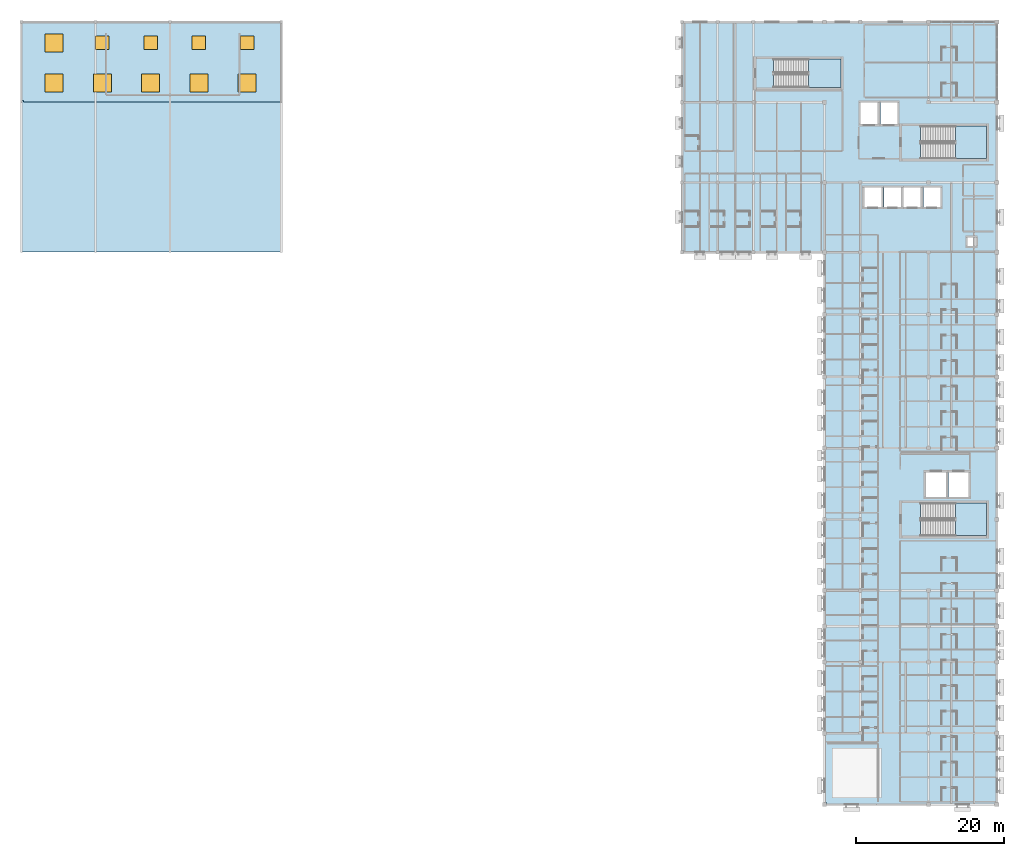
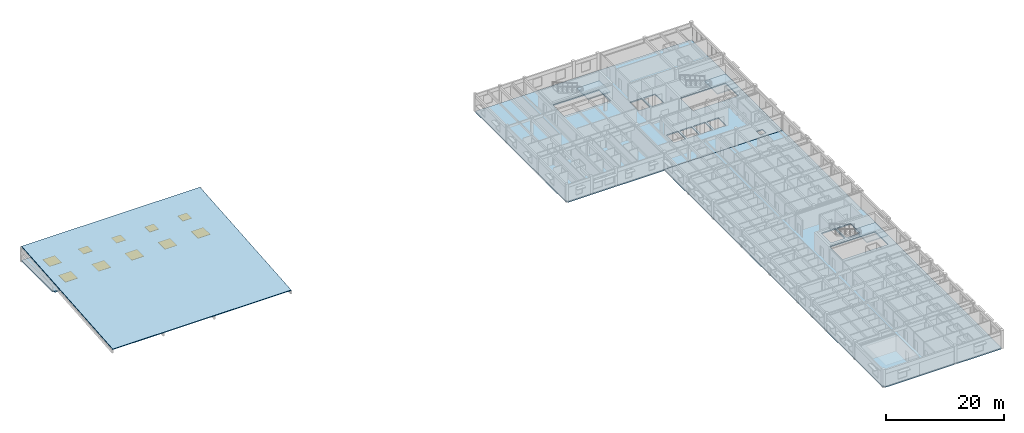
# One storey, part 8 of 31: 10 windows, 7 slabs, 10 openings, 4 elements without a shape of their own.
"""IFC4 building model written with IfcOpenShell, lengths in metres."""

from ifc_helpers import new_model, si_unit, direction, frame, origin, origin_2d, place, context, subcontext, project, spatial, polyline, rectangle, outline, extrude, material, layer, layer_set, type_object, element, fill, aggregate, save


model = new_model("IFC4")

# Units and contexts
model_context = context("Model", 3, precision=1e-05, world=origin(), true_north=direction((0.0, 1.0)))
body_context = subcontext(model_context, "Body", "Model", "MODEL_VIEW")
ifc_project = project(units=[si_unit("LENGTHUNIT", "METRE"), si_unit("AREAUNIT", "SQUARE_METRE"), si_unit("VOLUMEUNIT", "CUBIC_METRE"), si_unit("PLANEANGLEUNIT", "RADIAN"), si_unit("MASSUNIT", "GRAM", prefix="KILO")], contexts=[model_context])

# Site, building, storey
site_placement = place(None, origin())
site = spatial("IfcSite", under=ifc_project, at=site_placement, CompositionType="ELEMENT")
building_placement = place(site_placement, origin())
building = spatial("IfcBuilding", under=site, at=building_placement, Name="Veldera Park Congress Hotel", CompositionType="ELEMENT")
storey_placement = place(building_placement, frame((0.0, 0.0, 20.0)))
storey = spatial("IfcBuildingStorey", under=building, at=storey_placement, Name="L04", CompositionType="ELEMENT", Elevation=20.0)

# Slab, openings, windows
ifc_material_1 = material(Name="Concrete f'c 40 MPa (5,800 psi)", Category="concrete")
ifc_layer_1 = layer(ifc_material_1, 0.264892578125)
ifc_layer_set_1 = layer_set([ifc_layer_1], Name="Concrete f'c 40 MPa (5,800 psi)")
slab_type_1 = type_object("IfcSlabType", Name="RF-CURB265", PredefinedType="ROOF", material=ifc_layer_set_1)
slab_1_placement = place(storey_placement, origin())
slab_1 = element("IfcSlab", 1, at=slab_1_placement, inside=storey, type_object=slab_type_1, Name="Conservatory Roof Service Curb Deck", PredefinedType="ROOF", context=body_context, shape_type="SweptSolid", body=[
    extrude(outline(polyline([(-47.39990234375, 47.4599609375), (-47.139892578125, 47.4599609375), (-47.139892578125, 47.199951171875), (-12.39990234375, 47.199951171875), (-12.39990234375, 58.0), (-47.39990234375, 58.0), (-47.39990234375, 47.4599609375)])), origin(), (0.0, 0.0, 1.0), 0.264892578125),
])
opening_1_placement = place(slab_1_placement, frame((-43.0, 49.800048828125, 0.0)))
opening_1 = element("IfcOpeningElement", 2, at=opening_1_placement, cuts=slab_1, Name="Opening WIN-SKY", PredefinedType="OPENING", context=body_context, shape_type="SweptSolid", body=[
    extrude(rectangle(XDim=2.39990234375, YDim=2.39990234375, at=origin_2d()), frame((0.0, 0.0, -0.011962890625)), (0.0, 0.0, 1.0), 0.288818359375),
])
opening_2_placement = place(slab_1_placement, frame((-36.5, 49.800048828125, 0.0)))
opening_2 = element("IfcOpeningElement", 3, at=opening_2_placement, cuts=slab_1, Name="Opening WIN-SKY", PredefinedType="OPENING", context=body_context, shape_type="SweptSolid", body=[
    extrude(rectangle(XDim=2.39990234375, YDim=2.39990234375, at=origin_2d()), frame((0.0, 0.0, -0.011962890625)), (0.0, 0.0, 1.0), 0.288818359375),
])
opening_3_placement = place(slab_1_placement, frame((-30.0, 49.800048828125, 0.0)))
opening_3 = element("IfcOpeningElement", 4, at=opening_3_placement, cuts=slab_1, Name="Opening WIN-SKY", PredefinedType="OPENING", context=body_context, shape_type="SweptSolid", body=[
    extrude(rectangle(XDim=2.39990234375, YDim=2.39990234375, at=origin_2d()), frame((0.0, 0.0, -0.011962890625)), (0.0, 0.0, 1.0), 0.288818359375),
])
opening_4_placement = place(slab_1_placement, frame((-23.5, 49.800048828125, 0.0)))
opening_4 = element("IfcOpeningElement", 5, at=opening_4_placement, cuts=slab_1, Name="Opening WIN-SKY", PredefinedType="OPENING", context=body_context, shape_type="SweptSolid", body=[
    extrude(rectangle(XDim=2.39990234375, YDim=2.39990234375, at=origin_2d()), frame((0.0, 0.0, -0.011962890625)), (0.0, 0.0, 1.0), 0.288818359375),
])
opening_5_placement = place(slab_1_placement, frame((-17.0, 49.800048828125, 0.0)))
opening_5 = element("IfcOpeningElement", 6, at=opening_5_placement, cuts=slab_1, Name="Opening WIN-SKY", PredefinedType="OPENING", context=body_context, shape_type="SweptSolid", body=[
    extrude(rectangle(XDim=2.39990234375, YDim=2.39990234375, at=origin_2d()), frame((0.0, 0.0, -0.011962890625)), (0.0, 0.0, 1.0), 0.288818359375),
])
opening_6_placement = place(slab_1_placement, frame((-43.0, 55.199951171875, 0.0)))
opening_6 = element("IfcOpeningElement", 7, at=opening_6_placement, cuts=slab_1, Name="Opening WIN-SKY", PredefinedType="OPENING", context=body_context, shape_type="SweptSolid", body=[
    extrude(rectangle(XDim=2.39990234375, YDim=2.39990234375, at=origin_2d()), frame((0.0, 0.0, -0.011962890625)), (0.0, 0.0, 1.0), 0.288818359375),
])
opening_7_placement = place(slab_1_placement, frame((-36.5, 55.199951171875, 0.0)))
opening_7 = element("IfcOpeningElement", 8, at=opening_7_placement, cuts=slab_1, Name="Opening WIN-SKY2", PredefinedType="OPENING", context=body_context, shape_type="SweptSolid", body=[
    extrude(rectangle(XDim=1.800048828125, YDim=1.800048828125, at=origin_2d()), frame((0.0, 0.0, -0.011962890625)), (0.0, 0.0, 1.0), 0.288818359375),
])
opening_8_placement = place(slab_1_placement, frame((-30.0, 55.199951171875, 0.0)))
opening_8 = element("IfcOpeningElement", 9, at=opening_8_placement, cuts=slab_1, Name="Opening WIN-SKY2", PredefinedType="OPENING", context=body_context, shape_type="SweptSolid", body=[
    extrude(rectangle(XDim=1.800048828125, YDim=1.800048828125, at=origin_2d()), frame((0.0, 0.0, -0.011962890625)), (0.0, 0.0, 1.0), 0.288818359375),
])
opening_9_placement = place(slab_1_placement, frame((-23.5, 55.199951171875, 0.0)))
opening_9 = element("IfcOpeningElement", 10, at=opening_9_placement, cuts=slab_1, Name="Opening WIN-SKY2", PredefinedType="OPENING", context=body_context, shape_type="SweptSolid", body=[
    extrude(rectangle(XDim=1.800048828125, YDim=1.800048828125, at=origin_2d()), frame((0.0, 0.0, -0.011962890625)), (0.0, 0.0, 1.0), 0.288818359375),
])
opening_10_placement = place(slab_1_placement, frame((-17.0, 55.199951171875, 0.0)))
opening_10 = element("IfcOpeningElement", 11, at=opening_10_placement, cuts=slab_1, Name="Opening WIN-SKY2", PredefinedType="OPENING", context=body_context, shape_type="SweptSolid", body=[
    extrude(rectangle(XDim=1.800048828125, YDim=1.800048828125, at=origin_2d()), frame((0.0, 0.0, -0.011962890625)), (0.0, 0.0, 1.0), 0.288818359375),
])
ifc_material_2 = material(Name="Low-E Triple Insulating Glass Unit (SHGC 0.22)", Category="glass")
window_type_1 = type_object("IfcWindowType", Name="WIN-SKY", PartitioningType="SINGLE_PANEL", PredefinedType="SKYLIGHT", material=ifc_material_2)
window_1_placement = place(opening_1_placement, frame((0.0, 0.0, 0.204833984375)))
window_1 = element("IfcWindow", 12, at=window_1_placement, inside=storey, type_object=window_type_1, Name="Conservatory Roof Skylight 01", OverallHeight=2.39990234375, OverallWidth=2.39990234375, PartitioningType="SINGLE_PANEL", PredefinedType="SKYLIGHT", context=body_context, shape_type="SweptSolid", body=[
    extrude(rectangle(XDim=2.39990234375, YDim=2.39990234375, at=origin_2d()), origin(), (0.0, 0.0, 1.0), 0.06005859375),
])
fill(opening_1, window_1)
window_2_placement = place(opening_2_placement, frame((0.0, 0.0, 0.204833984375)))
window_2 = element("IfcWindow", 13, at=window_2_placement, inside=storey, type_object=window_type_1, Name="Conservatory Roof Skylight 02", OverallHeight=2.39990234375, OverallWidth=2.39990234375, PartitioningType="SINGLE_PANEL", PredefinedType="SKYLIGHT", context=body_context, shape_type="SweptSolid", body=[
    extrude(rectangle(XDim=2.39990234375, YDim=2.39990234375, at=origin_2d()), origin(), (0.0, 0.0, 1.0), 0.06005859375),
])
fill(opening_2, window_2)
window_3_placement = place(opening_3_placement, frame((0.0, 0.0, 0.204833984375)))
window_3 = element("IfcWindow", 14, at=window_3_placement, inside=storey, type_object=window_type_1, Name="Conservatory Roof Skylight 03", OverallHeight=2.39990234375, OverallWidth=2.39990234375, PartitioningType="SINGLE_PANEL", PredefinedType="SKYLIGHT", context=body_context, shape_type="SweptSolid", body=[
    extrude(rectangle(XDim=2.39990234375, YDim=2.39990234375, at=origin_2d()), origin(), (0.0, 0.0, 1.0), 0.06005859375),
])
fill(opening_3, window_3)
window_4_placement = place(opening_4_placement, frame((0.0, 0.0, 0.204833984375)))
window_4 = element("IfcWindow", 15, at=window_4_placement, inside=storey, type_object=window_type_1, Name="Conservatory Roof Skylight 04", OverallHeight=2.39990234375, OverallWidth=2.39990234375, PartitioningType="SINGLE_PANEL", PredefinedType="SKYLIGHT", context=body_context, shape_type="SweptSolid", body=[
    extrude(rectangle(XDim=2.39990234375, YDim=2.39990234375, at=origin_2d()), origin(), (0.0, 0.0, 1.0), 0.06005859375),
])
fill(opening_4, window_4)
window_5_placement = place(opening_5_placement, frame((0.0, 0.0, 0.204833984375)))
window_5 = element("IfcWindow", 16, at=window_5_placement, inside=storey, type_object=window_type_1, Name="Conservatory Roof Skylight 05", OverallHeight=2.39990234375, OverallWidth=2.39990234375, PartitioningType="SINGLE_PANEL", PredefinedType="SKYLIGHT", context=body_context, shape_type="SweptSolid", body=[
    extrude(rectangle(XDim=2.39990234375, YDim=2.39990234375, at=origin_2d()), origin(), (0.0, 0.0, 1.0), 0.06005859375),
])
fill(opening_5, window_5)
window_6_placement = place(opening_6_placement, frame((0.0, 0.0, 0.204833984375)))
window_6 = element("IfcWindow", 17, at=window_6_placement, inside=storey, type_object=window_type_1, Name="Conservatory Roof Skylight 06", OverallHeight=2.39990234375, OverallWidth=2.39990234375, PartitioningType="SINGLE_PANEL", PredefinedType="SKYLIGHT", context=body_context, shape_type="SweptSolid", body=[
    extrude(rectangle(XDim=2.39990234375, YDim=2.39990234375, at=origin_2d()), origin(), (0.0, 0.0, 1.0), 0.06005859375),
])
fill(opening_6, window_6)
window_type_2 = type_object("IfcWindowType", Name="WIN-SKY2", PartitioningType="SINGLE_PANEL", PredefinedType="SKYLIGHT", material=ifc_material_2)
window_7_placement = place(opening_7_placement, frame((0.0, 0.0, 0.204833984375)))
window_7 = element("IfcWindow", 18, at=window_7_placement, inside=storey, type_object=window_type_2, Name="Conservatory Roof Skylight 07", OverallHeight=1.800048828125, OverallWidth=1.800048828125, PartitioningType="SINGLE_PANEL", PredefinedType="SKYLIGHT", context=body_context, shape_type="SweptSolid", body=[
    extrude(rectangle(XDim=1.800048828125, YDim=1.800048828125, at=origin_2d()), origin(), (0.0, 0.0, 1.0), 0.06005859375),
])
fill(opening_7, window_7)
window_8_placement = place(opening_8_placement, frame((0.0, 0.0, 0.204833984375)))
window_8 = element("IfcWindow", 19, at=window_8_placement, inside=storey, type_object=window_type_2, Name="Conservatory Roof Skylight 08", OverallHeight=1.800048828125, OverallWidth=1.800048828125, PartitioningType="SINGLE_PANEL", PredefinedType="SKYLIGHT", context=body_context, shape_type="SweptSolid", body=[
    extrude(rectangle(XDim=1.800048828125, YDim=1.800048828125, at=origin_2d()), origin(), (0.0, 0.0, 1.0), 0.06005859375),
])
fill(opening_8, window_8)
window_9_placement = place(opening_9_placement, frame((0.0, 0.0, 0.204833984375)))
window_9 = element("IfcWindow", 20, at=window_9_placement, inside=storey, type_object=window_type_2, Name="Conservatory Roof Skylight 09", OverallHeight=1.800048828125, OverallWidth=1.800048828125, PartitioningType="SINGLE_PANEL", PredefinedType="SKYLIGHT", context=body_context, shape_type="SweptSolid", body=[
    extrude(rectangle(XDim=1.800048828125, YDim=1.800048828125, at=origin_2d()), origin(), (0.0, 0.0, 1.0), 0.06005859375),
])
fill(opening_9, window_9)
window_10_placement = place(opening_10_placement, frame((0.0, 0.0, 0.204833984375)))
window_10 = element("IfcWindow", 21, at=window_10_placement, inside=storey, type_object=window_type_2, Name="Conservatory Roof Skylight 10", OverallHeight=1.800048828125, OverallWidth=1.800048828125, PartitioningType="SINGLE_PANEL", PredefinedType="SKYLIGHT", context=body_context, shape_type="SweptSolid", body=[
    extrude(rectangle(XDim=1.800048828125, YDim=1.800048828125, at=origin_2d()), origin(), (0.0, 0.0, 1.0), 0.06005859375),
])
fill(opening_10, window_10)

# Roof, slab
ifc_material_3 = material(Name="Cross-laminated timber CLT V2M1.1", Category="wood")
roof_type = type_object("IfcRoofType", Name="ROOF-SHD", PredefinedType="SHED_ROOF", material=ifc_material_3)
roof_placement = place(storey_placement, origin())
roof = element("IfcRoof", 22, at=roof_placement, inside=storey, type_object=roof_type, Name="Podium Conservatory Sloped Timber Roof", PredefinedType="SHED_ROOF")
ifc_layer_2 = layer(ifc_material_3, 0.159912109375)
ifc_layer_set_2 = layer_set([ifc_layer_2], Name="Cross-laminated timber CLT V2M1.1")
slab_type_2 = type_object("IfcSlabType", Name="RF-DECK160", PredefinedType="ROOF", material=ifc_layer_set_2)
slab_2_placement = place(storey_placement, frame((-47.39990234375, 27.0, 0.6201171875), z_axis=(0.0, -0.081974936852, 0.996634391203), x_axis=(1.0, 0.0, 0.0)))
slab_2 = element("IfcSlab", 23, at=slab_2_placement, type_object=slab_type_2, Name="Podium Conservatory Sloped Roof Deck", PredefinedType="ROOF", context=body_context, shape_type="SweptSolid", body=[
    extrude(outline(polyline([(0.0, 0.0), (35.0, 0.0), (35.0, 31.104686205528534), (0.0, 31.104686205528534), (0.0, 0.0)])), origin(), (0.0, 0.0, -1.0), 0.159912109375),
])
aggregate(roof, [slab_2])

# Slabs
ifc_layer_3 = layer(ifc_material_3, 0.239990234375)
ifc_layer_set_3 = layer_set([ifc_layer_3], Name="Cross-laminated timber CLT V2M1.1")
slab_type_3 = type_object("IfcSlabType", Name="SLB-CLT240", PredefinedType="FLOOR", material=ifc_layer_set_3)
slab_3_placement = place(storey_placement, frame((0.0, 0.0, -0.239990234375)))
element("IfcSlab", 24, at=slab_3_placement, inside=storey, type_object=slab_type_3, Name="L04 Hotel East Wing CLT Floor Deck SLB-L04-V4E", PredefinedType="FLOOR", context=body_context, shape_type="SweptSolid", body=[
    extrude(outline(polyline([(60.800048828125, -47.139892578125), (61.06005859375, -47.139892578125), (61.06005859375, -47.39990234375), (84.0, -47.39990234375), (84.0, 27.0), (60.800048828125, 27.0), (60.800048828125, -47.139892578125)]), holes=[polyline([(73.715087890625, -11.199951171875), (82.60009765625, -11.199951171875), (82.60009765625, -6.800048828125), (73.715087890625, -6.800048828125), (73.715087890625, -11.199951171875)]), polyline([(74.449951171875, -5.949951171875), (77.14990234375, -5.949951171875), (77.14990234375, -2.64990234375), (74.449951171875, -2.64990234375), (74.449951171875, -5.949951171875)]), polyline([(77.5, -5.949951171875), (80.199951171875, -5.949951171875), (80.199951171875, -2.64990234375), (77.5, -2.64990234375), (77.5, -5.949951171875)])]), origin(), (0.0, 0.0, 1.0), 0.239990234375),
])
slab_4_placement = place(storey_placement, frame((0.0, 0.0, -0.239990234375)))
element("IfcSlab", 25, at=slab_4_placement, inside=storey, type_object=slab_type_3, Name="L04 Hotel North Wing CLT Floor Deck SLB-L04-V4N", PredefinedType="FLOOR", context=body_context, shape_type="SweptSolid", body=[
    extrude(outline(polyline([(41.60009765625, 27.260009765625), (41.860107421875, 27.260009765625), (41.860107421875, 27.0), (84.0, 27.0), (84.0, 58.0), (41.60009765625, 58.0), (41.60009765625, 27.260009765625)]), holes=[polyline([(73.715087890625, 39.60009765625), (82.60009765625, 39.60009765625), (82.60009765625, 44.0), (73.715087890625, 44.0), (73.715087890625, 39.60009765625)]), polyline([(53.9150390625, 49.199951171875), (63.0, 49.199951171875), (63.0, 53.0), (53.9150390625, 53.0), (53.9150390625, 49.199951171875)]), polyline([(65.64990234375, 44.25), (67.949951171875, 44.25), (67.949951171875, 47.14990234375), (65.64990234375, 47.14990234375), (65.64990234375, 44.25)]), polyline([(68.300048828125, 44.25), (70.60009765625, 44.25), (70.60009765625, 47.14990234375), (68.300048828125, 47.14990234375), (68.300048828125, 44.25)]), polyline([(66.14990234375, 33.10009765625), (68.449951171875, 33.10009765625), (68.449951171875, 35.699951171875), (66.14990234375, 35.699951171875), (66.14990234375, 33.10009765625)]), polyline([(68.800048828125, 33.10009765625), (71.10009765625, 33.10009765625), (71.10009765625, 35.699951171875), (68.800048828125, 35.699951171875), (68.800048828125, 33.10009765625)]), polyline([(71.449951171875, 33.10009765625), (73.75, 33.10009765625), (73.75, 35.699951171875), (71.449951171875, 35.699951171875), (71.449951171875, 33.10009765625)]), polyline([(74.10009765625, 33.10009765625), (76.39990234375, 33.10009765625), (76.39990234375, 35.699951171875), (74.10009765625, 35.699951171875), (74.10009765625, 33.10009765625)]), polyline([(80.0, 27.800048828125), (81.199951171875, 27.800048828125), (81.199951171875, 29.0), (80.0, 29.0), (80.0, 27.800048828125)])]), origin(), (0.0, 0.0, 1.0), 0.239990234375),
])

# Stair, slab
stair_type_1 = type_object("IfcStairType", Name="ST1", PredefinedType="HALF_TURN_STAIR", material=ifc_material_1)
stair_1_placement = place(storey_placement, origin())
stair_1 = element("IfcStair", 26, at=stair_1_placement, inside=storey, type_object=stair_type_1, Name="L04 Protected Exit Stair ST1", PredefinedType="HALF_TURN_STAIR")
ifc_layer_4 = layer(ifc_material_1, 0.199951171875)
ifc_layer_set_4 = layer_set([ifc_layer_4], Name="Concrete f'c 40 MPa (5,800 psi)")
slab_type_4 = type_object("IfcSlabType", Name="SLD-ST1", PredefinedType="LANDING", material=ifc_layer_set_4)
slab_5_placement = place(storey_placement, frame((0.0, 0.0, 1.699951171875)))
slab_5 = element("IfcSlab", 27, at=slab_5_placement, type_object=slab_type_4, Name="ST1 landing 1", PredefinedType="LANDING", context=body_context, shape_type="SweptSolid", body=[
    extrude(outline(polyline([(78.445068359375, 39.60009765625), (82.60009765625, 39.60009765625), (82.60009765625, 44.0), (78.445068359375, 44.0), (78.445068359375, 39.60009765625)])), origin(), (0.0, 0.0, 1.0), 0.199951171875),
])
aggregate(stair_1, [slab_5])

stair_type_2 = type_object("IfcStairType", Name="ST2", PredefinedType="HALF_TURN_STAIR", material=ifc_material_1)
stair_2_placement = place(storey_placement, origin())
stair_2 = element("IfcStair", 28, at=stair_2_placement, inside=storey, type_object=stair_type_2, Name="L04 Protected Exit Stair ST2", PredefinedType="HALF_TURN_STAIR")
ifc_layer_5 = layer(ifc_material_1, 0.199951171875)
ifc_layer_set_5 = layer_set([ifc_layer_5], Name="Concrete f'c 40 MPa (5,800 psi)")
slab_type_5 = type_object("IfcSlabType", Name="SLD-ST2", PredefinedType="LANDING", material=ifc_layer_set_5)
slab_6_placement = place(storey_placement, frame((0.0, 0.0, 1.699951171875)))
slab_6 = element("IfcSlab", 29, at=slab_6_placement, type_object=slab_type_5, Name="ST2 landing 1", PredefinedType="LANDING", context=body_context, shape_type="SweptSolid", body=[
    extrude(outline(polyline([(78.445068359375, -11.199951171875), (82.60009765625, -11.199951171875), (82.60009765625, -6.800048828125), (78.445068359375, -6.800048828125), (78.445068359375, -11.199951171875)])), origin(), (0.0, 0.0, 1.0), 0.199951171875),
])
aggregate(stair_2, [slab_6])

stair_type_3 = type_object("IfcStairType", Name="ST3", PredefinedType="HALF_TURN_STAIR", material=ifc_material_1)
stair_3_placement = place(storey_placement, origin())
stair_3 = element("IfcStair", 30, at=stair_3_placement, inside=storey, type_object=stair_type_3, Name="L04 Protected Exit Stair ST3", PredefinedType="HALF_TURN_STAIR")
ifc_layer_6 = layer(ifc_material_1, 0.199951171875)
ifc_layer_set_6 = layer_set([ifc_layer_6], Name="Concrete f'c 40 MPa (5,800 psi)")
slab_type_6 = type_object("IfcSlabType", Name="SLD-ST3", PredefinedType="LANDING", material=ifc_layer_set_6)
slab_7_placement = place(storey_placement, frame((0.0, 0.0, 1.699951171875)))
slab_7 = element("IfcSlab", 31, at=slab_7_placement, type_object=slab_type_6, Name="ST3 landing 1", PredefinedType="LANDING", context=body_context, shape_type="SweptSolid", body=[
    extrude(outline(polyline([(58.64501953125, 49.199951171875), (63.0, 49.199951171875), (63.0, 53.0), (58.64501953125, 53.0), (58.64501953125, 49.199951171875)])), origin(), (0.0, 0.0, 1.0), 0.199951171875),
])
aggregate(stair_3, [slab_7])

save(model, "model.ifc")
